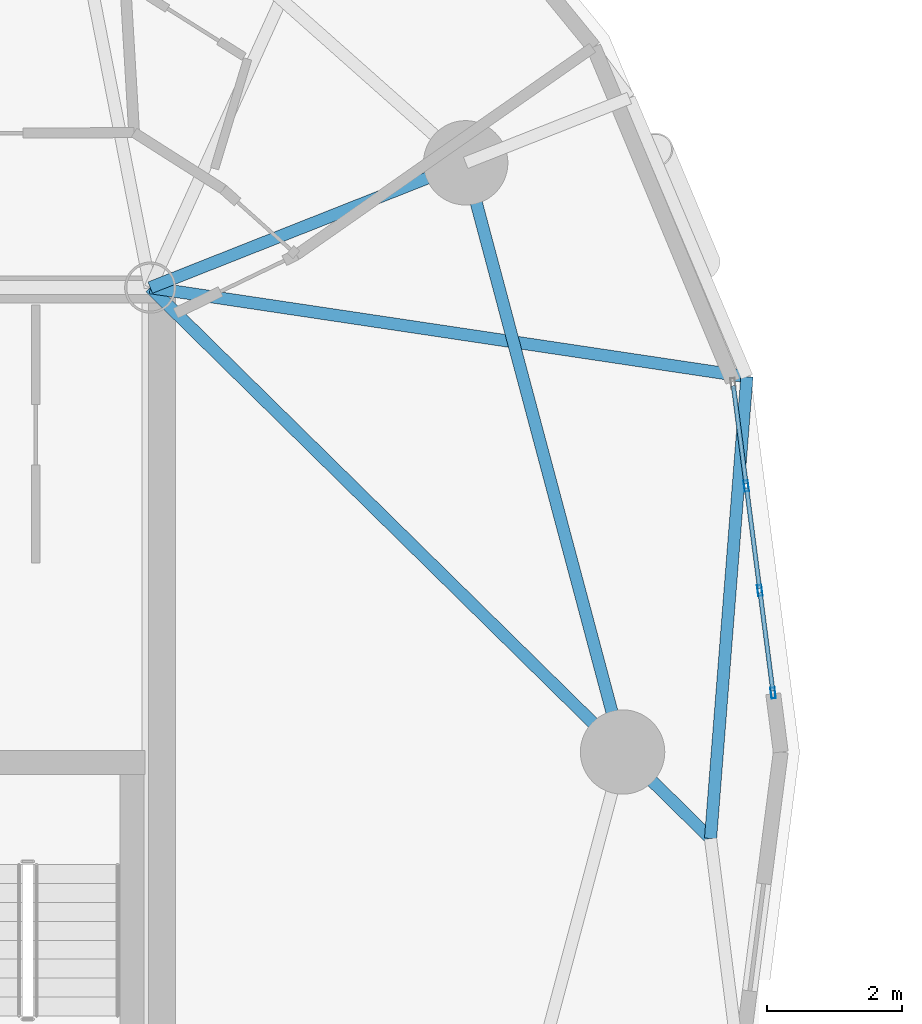
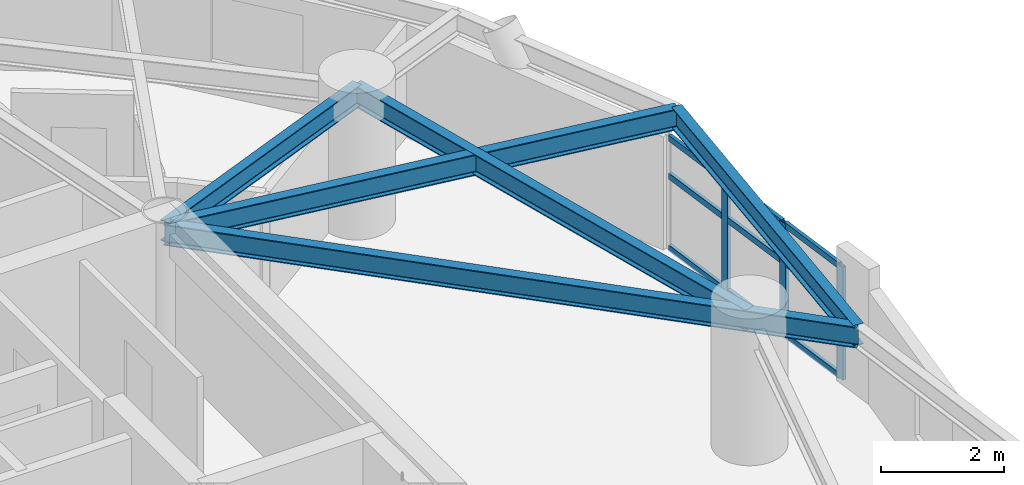
# One storey, part 2 of 17: 12 members, 5 beams, 1 element without a shape of its own.
"""IFC4 building model written with IfcOpenShell, lengths in metres."""

from ifc_helpers import new_model, si_unit, direction, frame, origin, origin_2d, place, context, subcontext, project, spatial, hollow_rectangle, i_section, extrude, material, layer, layer_set, material_profile, profile_set, type_object, element, aggregate, save


model = new_model("IFC4")

# Units and contexts
model_context = context("Model", 3, precision=1e-05, world=origin(), true_north=direction((0.0, 1.0)))
body_context = subcontext(model_context, "Body", "Model", "MODEL_VIEW")
ifc_project = project(units=[si_unit("LENGTHUNIT", "METRE"), si_unit("AREAUNIT", "SQUARE_METRE"), si_unit("VOLUMEUNIT", "CUBIC_METRE"), si_unit("PLANEANGLEUNIT", "RADIAN"), si_unit("MASSUNIT", "GRAM", prefix="KILO")], contexts=[model_context])

# Site, building, storey
site_placement = place(None, origin())
site = spatial("IfcSite", under=ifc_project, at=site_placement, CompositionType="ELEMENT")
building_placement = place(site_placement, origin())
building = spatial("IfcBuilding", under=site, at=building_placement, Name="Cununo Teusaquillo Station Towers", CompositionType="ELEMENT")
storey_placement = place(building_placement, frame((0.0, 0.0, 154.510009765625)))
storey = spatial("IfcBuildingStorey", under=building, at=storey_placement, Name="L48", CompositionType="ELEMENT", Elevation=154.510009765625)

# Beams
ifc_material_1 = material(Name="Steel ASTM A572 Grade 50", Category="steel")
ifc_material_profile_1 = material_profile(ifc_material_1, i_section(OverallWidth=0.180908203125, OverallDepth=0.4169921875, WebThickness=0.010986328125, FlangeThickness=0.018310546875, FilletRadius=0.012939453125, at=origin_2d()), Name="W16X57")
ifc_profile_set_1 = profile_set([ifc_material_profile_1], Name="Steel ASTM A572 Grade 50")
beam_type_1 = type_object("IfcBeamType", Name="BM-JOIST-1", PredefinedType="JOIST", material=ifc_profile_set_1)
beam_1_placement = place(storey_placement, frame((21.675048828125, 31.3798828125, 2.4814453125), z_axis=(0.989018754675, -0.147790063606, 0.0), x_axis=(0.147790063606, 0.989018754675, 0.0)))
element("IfcBeam", 1, at=beam_1_placement, inside=storey, type_object=beam_type_1, Name="L48 Tower A Radial Spandrel Joist V01", PredefinedType="JOIST", context=body_context, shape_type="SweptSolid", body=[
    extrude(i_section(OverallWidth=0.180908203125, OverallDepth=0.4169921875, WebThickness=0.010986328125, FlangeThickness=0.018310546875, FilletRadius=0.012939453125, at=origin_2d()), origin(), (0.0, 0.0, 1.0), 8.93701171875),
])
ifc_material_2 = material(Name="Steel ASTM A572 Grade 50", Category="steel")
ifc_material_profile_2 = material_profile(ifc_material_2, i_section(OverallWidth=0.180908203125, OverallDepth=0.4169921875, WebThickness=0.010986328125, FlangeThickness=0.018310546875, FilletRadius=0.012939453125, at=origin_2d()), Name="W16X57")
ifc_profile_set_2 = profile_set([ifc_material_profile_2], Name="Steel ASTM A572 Grade 50")
beam_type_2 = type_object("IfcBeamType", Name="BM-RAD-G2", PredefinedType="BEAM", material=ifc_profile_set_2)
beam_2_placement = place(storey_placement, frame((21.675048828125, 31.3798828125, 2.4814453125), z_axis=(0.71304866969, -0.701114537471, 0.0), x_axis=(0.701114537471, 0.71304866969, 0.0)))
element("IfcBeam", 2, at=beam_2_placement, inside=storey, type_object=beam_type_2, Name="L48 Tower A Continuous Overhanging Radial Girder 01", PredefinedType="BEAM", context=body_context, shape_type="SweptSolid", body=[
    extrude(i_section(OverallWidth=0.180908203125, OverallDepth=0.4169921875, WebThickness=0.010986328125, FlangeThickness=0.018310546875, FilletRadius=0.012939453125, at=origin_2d()), origin(), (0.0, 0.0, 1.0), 11.64013671875),
])
beam_3_placement = place(storey_placement, frame((21.675048828125, 31.3798828125, 2.4814453125), z_axis=(0.929864104313, 0.367903176814, 0.0), x_axis=(-0.367903176814, 0.929864104313, 0.0)))
element("IfcBeam", 3, at=beam_3_placement, inside=storey, type_object=beam_type_2, Name="L48 Tower A Radial Girder 02A", PredefinedType="BEAM", context=body_context, shape_type="SweptSolid", body=[
    extrude(i_section(OverallWidth=0.180908203125, OverallDepth=0.4169921875, WebThickness=0.010986328125, FlangeThickness=0.018310546875, FilletRadius=0.012939453125, at=origin_2d()), origin(), (0.0, 0.0, 1.0), 5.02490234375),
])
ifc_material_3 = material(Name="Steel ASTM A572 Grade 50", Category="steel")
ifc_material_profile_3 = material_profile(ifc_material_3, i_section(OverallWidth=0.180908203125, OverallDepth=0.4169921875, WebThickness=0.010986328125, FlangeThickness=0.018310546875, FilletRadius=0.012939453125, at=origin_2d()), Name="W16X57")
ifc_profile_set_3 = profile_set([ifc_material_profile_3], Name="Steel ASTM A572 Grade 50")
beam_type_3 = type_object("IfcBeamType", Name="BM-RING-Z3", PredefinedType="SPANDREL", material=ifc_profile_set_3)
beam_4_placement = place(storey_placement, frame((28.672119140625, 24.5, 2.4814453125), z_axis=(-0.257363196347, 0.966314744359, 0.0), x_axis=(-0.966314744359, -0.257363196347, 0.0)))
element("IfcBeam", 4, at=beam_4_placement, inside=storey, type_object=beam_type_3, Name="L48 Tower A Structural Column Ring Girder 01", PredefinedType="SPANDREL", context=body_context, shape_type="SweptSolid", body=[
    extrude(i_section(OverallWidth=0.180908203125, OverallDepth=0.4169921875, WebThickness=0.010986328125, FlangeThickness=0.018310546875, FilletRadius=0.012939453125, at=origin_2d()), origin(), (0.0, 0.0, 1.0), 9.03271484375),
])
beam_5_placement = place(storey_placement, frame((29.97509765625, 23.21875, 2.4814453125), z_axis=(0.078527541639, 0.996911944559, 0.0), x_axis=(-0.996911944559, 0.078527541639, 0.0)))
element("IfcBeam", 5, at=beam_5_placement, inside=storey, type_object=beam_type_3, Name="L48 Tower A Spandrel Ring Beam 01", PredefinedType="SPANDREL", context=body_context, shape_type="SweptSolid", body=[
    extrude(i_section(OverallWidth=0.180908203125, OverallDepth=0.4169921875, WebThickness=0.010986328125, FlangeThickness=0.018310546875, FilletRadius=0.012939453125, at=origin_2d()), origin(), (0.0, 0.0, 1.0), 6.861572265625),
])

# Curtain wall, members
ifc_material_4 = material(Name="Operable acoustic tinted low-E double glazing", Category="glass")
ifc_layer = layer(ifc_material_4, 0.179931640625)
ifc_layer_set = layer_set([ifc_layer], Name="Operable acoustic tinted low-E double glazing")
curtain_wall_type = type_object("IfcCurtainWallType", Name="CW-SYS-06", PredefinedType="USERDEFINED", material=ifc_layer_set)
curtain_wall_placement = place(storey_placement, origin())
curtain_wall = element("IfcCurtainWall", 6, at=curtain_wall_placement, inside=storey, type_object=curtain_wall_type, Name="L48 Tower A Facade Curtain Wall C00", ObjectType="OPERABLE GLAZING", PredefinedType="USERDEFINED")
ifc_material_5 = material(Name="Anodised dark bronze aluminium EN AW-6063-T6", Category="aluminium")
ifc_material_profile_4 = material_profile(ifc_material_5, hollow_rectangle(XDim=0.06494140625, YDim=0.159912109375, WallThickness=0.00390625, at=origin_2d()), Name="CW-MULL-65x160")
ifc_profile_set_4 = profile_set([ifc_material_profile_4], Name="Anodised dark bronze aluminium EN AW-6063-T6")
member_type_1 = type_object("IfcMemberType", Name="CWM-160", PredefinedType="MULLION", material=ifc_profile_set_4)
member_1_placement = place(storey_placement, frame((30.505126953125, 28.44189453125, 0.0), z_axis=(0.0, 0.0, 1.0), x_axis=(0.991736321922, 0.128292898403, 0.0)))
member_1 = element("IfcMember", 7, at=member_1_placement, type_object=member_type_1, Name="CW-06 mullion 2", PredefinedType="MULLION", context=body_context, shape_type="SweptSolid", body=[
    extrude(hollow_rectangle(XDim=0.06494140625, YDim=0.159912109375, WallThickness=0.00390625, at=origin_2d()), origin(), (0.0, 0.0, 1.0), 2.244873046875),
])
member_2_placement = place(storey_placement, frame((30.70556640625, 26.892333984375, 0.0), z_axis=(0.0, 0.0, 1.0), x_axis=(0.991736321922, 0.128292898403, 0.0)))
member_2 = element("IfcMember", 8, at=member_2_placement, type_object=member_type_1, Name="CW-06 mullion 3", PredefinedType="MULLION", context=body_context, shape_type="SweptSolid", body=[
    extrude(hollow_rectangle(XDim=0.06494140625, YDim=0.159912109375, WallThickness=0.00390625, at=origin_2d()), origin(), (0.0, 0.0, 1.0), 2.244873046875),
])
member_3_placement = place(storey_placement, frame((30.901611328125, 25.375244140625, 0.0), z_axis=(0.0, 0.0, 1.0), x_axis=(0.991736321922, 0.128292898403, 0.0)))
member_3 = element("IfcMember", 9, at=member_3_placement, type_object=member_type_1, Name="CW-06 mullion 4", PredefinedType="MULLION", context=body_context, shape_type="SweptSolid", body=[
    extrude(hollow_rectangle(XDim=0.06494140625, YDim=0.159912109375, WallThickness=0.00390625, at=origin_2d()), origin(), (0.0, 0.0, 1.0), 2.244873046875),
])
ifc_material_6 = material(Name="Anodised dark bronze aluminium EN AW-6063-T6", Category="aluminium")
ifc_material_profile_5 = material_profile(ifc_material_6, hollow_rectangle(XDim=0.06494140625, YDim=0.1201171875, WallThickness=0.00390625, at=origin_2d()), Name="CW-TRAN-65x120")
ifc_profile_set_5 = profile_set([ifc_material_profile_5], Name="Anodised dark bronze aluminium EN AW-6063-T6")
member_type_2 = type_object("IfcMemberType", Name="CWT-120", PredefinedType="USERDEFINED", material=ifc_profile_set_5)
member_4_placement = place(storey_placement, frame((30.31298828125, 29.9267578125, 0.032470703125), z_axis=(0.128341533193, -0.99173002922, 0.0), x_axis=(0.99173002922, 0.128341533193, 0.0)))
member_4 = element("IfcMember", 10, at=member_4_placement, type_object=member_type_2, Name="CW-06 transom 1.1", ObjectType="TRANSOM", PredefinedType="USERDEFINED", context=body_context, shape_type="SweptSolid", body=[
    extrude(hollow_rectangle(XDim=0.06494140625, YDim=0.1201171875, WallThickness=0.00390625, at=origin_2d()), origin(), (0.0, 0.0, 1.0), 1.46484375),
])
member_5_placement = place(storey_placement, frame((30.31298828125, 29.9267578125, 1.458984375), z_axis=(0.128341533193, -0.99173002922, 0.0), x_axis=(0.99173002922, 0.128341533193, 0.0)))
member_5 = element("IfcMember", 11, at=member_5_placement, type_object=member_type_2, Name="CW-06 transom 1.2", ObjectType="TRANSOM", PredefinedType="USERDEFINED", context=body_context, shape_type="SweptSolid", body=[
    extrude(hollow_rectangle(XDim=0.06494140625, YDim=0.1201171875, WallThickness=0.00390625, at=origin_2d()), origin(), (0.0, 0.0, 1.0), 1.46484375),
])
member_6_placement = place(storey_placement, frame((30.31298828125, 29.9267578125, 2.21240234375), z_axis=(0.128341533193, -0.99173002922, 0.0), x_axis=(0.99173002922, 0.128341533193, 0.0)))
member_6 = element("IfcMember", 12, at=member_6_placement, type_object=member_type_2, Name="CW-06 transom 1.3", ObjectType="TRANSOM", PredefinedType="USERDEFINED", context=body_context, shape_type="SweptSolid", body=[
    extrude(hollow_rectangle(XDim=0.06494140625, YDim=0.1201171875, WallThickness=0.00390625, at=origin_2d()), origin(), (0.0, 0.0, 1.0), 1.46484375),
])
member_7_placement = place(storey_placement, frame((30.50927734375, 28.40966796875, 0.032470703125), z_axis=(0.128307576997, -0.991734422961, 0.0), x_axis=(0.991734422961, 0.128307576997, 0.0)))
member_7 = element("IfcMember", 13, at=member_7_placement, type_object=member_type_2, Name="CW-06 transom 2.1", ObjectType="TRANSOM", PredefinedType="USERDEFINED", context=body_context, shape_type="SweptSolid", body=[
    extrude(hollow_rectangle(XDim=0.06494140625, YDim=0.1201171875, WallThickness=0.00390625, at=origin_2d()), origin(), (0.0, 0.0, 1.0), 1.49755859375),
])
member_8_placement = place(storey_placement, frame((30.50927734375, 28.40966796875, 1.458984375), z_axis=(0.128307576997, -0.991734422961, 0.0), x_axis=(0.991734422961, 0.128307576997, 0.0)))
member_8 = element("IfcMember", 14, at=member_8_placement, type_object=member_type_2, Name="CW-06 transom 2.2", ObjectType="TRANSOM", PredefinedType="USERDEFINED", context=body_context, shape_type="SweptSolid", body=[
    extrude(hollow_rectangle(XDim=0.06494140625, YDim=0.1201171875, WallThickness=0.00390625, at=origin_2d()), origin(), (0.0, 0.0, 1.0), 1.49755859375),
])
member_9_placement = place(storey_placement, frame((30.50927734375, 28.40966796875, 2.21240234375), z_axis=(0.128307576997, -0.991734422961, 0.0), x_axis=(0.991734422961, 0.128307576997, 0.0)))
member_9 = element("IfcMember", 15, at=member_9_placement, type_object=member_type_2, Name="CW-06 transom 2.3", ObjectType="TRANSOM", PredefinedType="USERDEFINED", context=body_context, shape_type="SweptSolid", body=[
    extrude(hollow_rectangle(XDim=0.06494140625, YDim=0.1201171875, WallThickness=0.00390625, at=origin_2d()), origin(), (0.0, 0.0, 1.0), 1.49755859375),
])
member_10_placement = place(storey_placement, frame((30.709716796875, 26.860107421875, 0.032470703125), z_axis=(0.128177596053, -0.991751230839, 0.0), x_axis=(0.991751230839, 0.128177596053, 0.0)))
member_10 = element("IfcMember", 16, at=member_10_placement, type_object=member_type_2, Name="CW-06 transom 3.1", ObjectType="TRANSOM", PredefinedType="USERDEFINED", context=body_context, shape_type="SweptSolid", body=[
    extrude(hollow_rectangle(XDim=0.06494140625, YDim=0.1201171875, WallThickness=0.00390625, at=origin_2d()), origin(), (0.0, 0.0, 1.0), 1.464599609375),
])
member_11_placement = place(storey_placement, frame((30.709716796875, 26.860107421875, 1.458984375), z_axis=(0.128177596053, -0.991751230839, 0.0), x_axis=(0.991751230839, 0.128177596053, 0.0)))
member_11 = element("IfcMember", 17, at=member_11_placement, type_object=member_type_2, Name="CW-06 transom 3.2", ObjectType="TRANSOM", PredefinedType="USERDEFINED", context=body_context, shape_type="SweptSolid", body=[
    extrude(hollow_rectangle(XDim=0.06494140625, YDim=0.1201171875, WallThickness=0.00390625, at=origin_2d()), origin(), (0.0, 0.0, 1.0), 1.464599609375),
])
member_12_placement = place(storey_placement, frame((30.709716796875, 26.860107421875, 2.21240234375), z_axis=(0.128177596053, -0.991751230839, 0.0), x_axis=(0.991751230839, 0.128177596053, 0.0)))
member_12 = element("IfcMember", 18, at=member_12_placement, type_object=member_type_2, Name="CW-06 transom 3.3", ObjectType="TRANSOM", PredefinedType="USERDEFINED", context=body_context, shape_type="SweptSolid", body=[
    extrude(hollow_rectangle(XDim=0.06494140625, YDim=0.1201171875, WallThickness=0.00390625, at=origin_2d()), origin(), (0.0, 0.0, 1.0), 1.464599609375),
])
aggregate(curtain_wall, [member_1, member_2, member_3, member_4, member_5, member_6, member_7, member_8, member_9, member_10, member_11, member_12])

save(model, "model.ifc")
